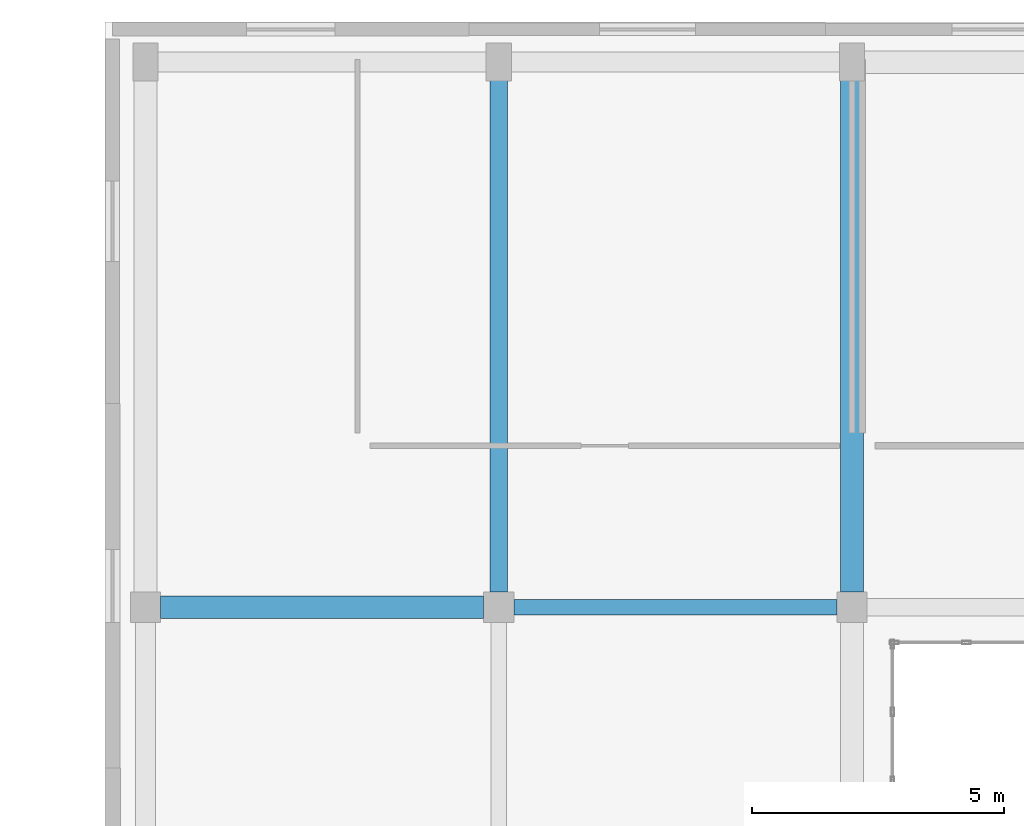
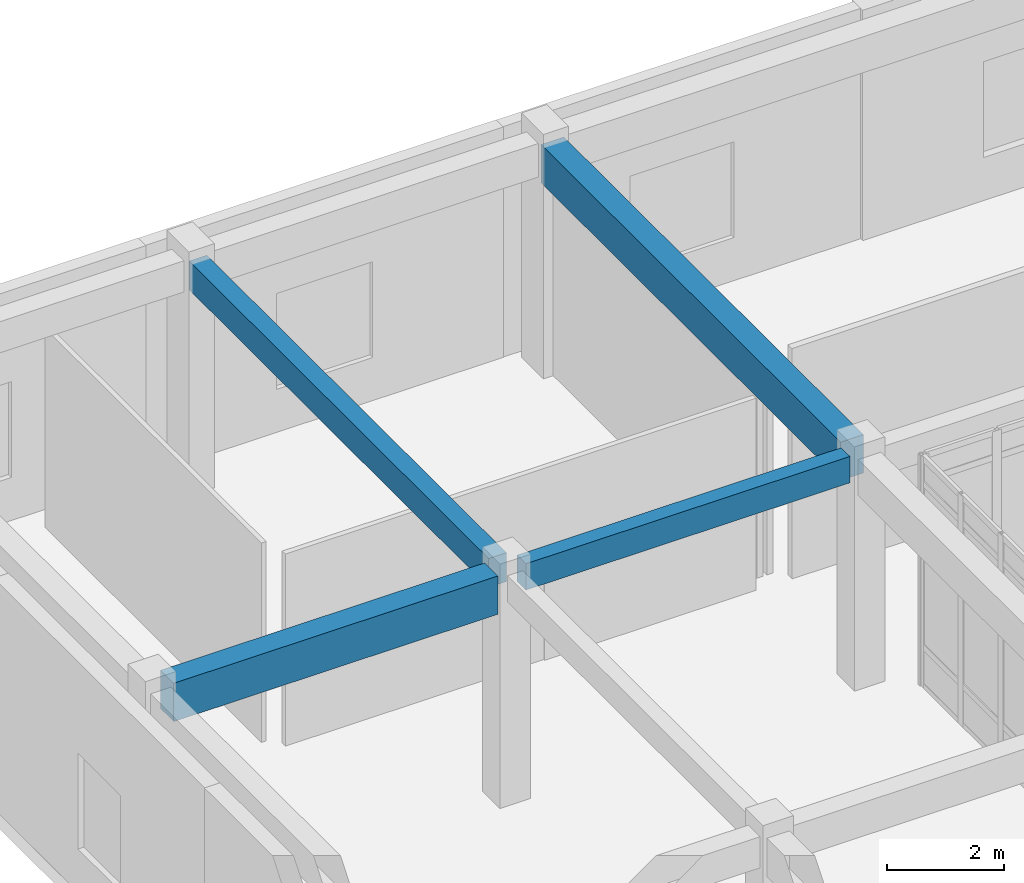
# One storey, part 66 of 121: 4 beams.
"""IFC4 building model written with IfcOpenShell, lengths in metres."""

from ifc_helpers import new_model, si_unit, direction, frame, origin, origin_2d, place, context, subcontext, project, spatial, rectangle, extrude, material, material_profile, profile_set, type_object, element, save


model = new_model("IFC4")

# Units and contexts
model_context = context("Model", 3, precision=1e-05, world=origin(), true_north=direction((0.0, 1.0)))
body_context = subcontext(model_context, "Body", "Model", "MODEL_VIEW")
ifc_project = project(units=[si_unit("LENGTHUNIT", "METRE"), si_unit("AREAUNIT", "SQUARE_METRE"), si_unit("VOLUMEUNIT", "CUBIC_METRE"), si_unit("PLANEANGLEUNIT", "RADIAN"), si_unit("MASSUNIT", "GRAM", prefix="KILO")], contexts=[model_context])

# Site, building, storey
site_placement = place(None, origin())
site = spatial("IfcSite", under=ifc_project, at=site_placement, CompositionType="ELEMENT")
building_placement = place(site_placement, origin())
building = spatial("IfcBuilding", under=site, at=building_placement, Name="Valcora Specialist Clinic", CompositionType="ELEMENT")
storey_placement = place(building_placement, origin())
storey = spatial("IfcBuildingStorey", under=building, at=storey_placement, Name="L00", CompositionType="ELEMENT", Elevation=0.0)

# Beams
ifc_material = material(Name="Concrete C40/50", Category="concrete")
ifc_material_profile_1 = material_profile(ifc_material, rectangle(XDim=0.300048828125, YDim=0.550048828125, at=origin_2d()), Name="RC-BM-300X550")
ifc_profile_set_1 = profile_set([ifc_material_profile_1], Name="Concrete C40/50")
beam_type_1 = type_object("IfcBeamType", Name="TY-BM-RC300X550", PredefinedType="BEAM", material=ifc_profile_set_1)
beam_1_placement = place(storey_placement, frame((69.300048828125, 99.199951171875, 4.534912109375), z_axis=(1.0, 0.0, 0.0), x_axis=(0.0, 1.0, 0.0)))
element("IfcBeam", 1, at=beam_1_placement, inside=storey, type_object=beam_type_1, Name="Beam BM-L00-0559", PredefinedType="BEAM", context=body_context, shape_type="SweptSolid", body=[
    extrude(rectangle(XDim=0.300048828125, YDim=0.550048828125, at=origin_2d()), origin(), (0.0, 0.0, 1.0), 6.39990234375),
])
ifc_material_profile_2 = material_profile(ifc_material, rectangle(XDim=0.35009765625, YDim=0.60009765625, at=origin_2d()), Name="RC-BM-350X600")
ifc_profile_set_2 = profile_set([ifc_material_profile_2], Name="Concrete C40/50")
beam_type_2 = type_object("IfcBeamType", Name="TY-BM-RC350X600", PredefinedType="BEAM", material=ifc_profile_set_2)
beam_2_placement = place(storey_placement, frame((69.0, 99.5, 4.510009765625), z_axis=(0.0, 1.0, 0.0), x_axis=(-1.0, 0.0, 0.0)))
element("IfcBeam", 2, at=beam_2_placement, inside=storey, type_object=beam_type_2, Name="Beam BM-L00-0582", PredefinedType="BEAM", context=body_context, shape_type="SweptSolid", body=[
    extrude(rectangle(XDim=0.35009765625, YDim=0.60009765625, at=origin_2d()), origin(), (0.0, 0.0, 1.0), 10.25),
])
ifc_material_profile_3 = material_profile(ifc_material, rectangle(XDim=0.449951171875, YDim=0.800048828125, at=origin_2d()), Name="RC-BM-450X800")
ifc_profile_set_3 = profile_set([ifc_material_profile_3], Name="Concrete C40/50")
beam_type_3 = type_object("IfcBeamType", Name="TY-BM-RC450X800", PredefinedType="BEAM", material=ifc_profile_set_3)
beam_3_placement = place(storey_placement, frame((62.300048828125, 99.199951171875, 4.409912109375), z_axis=(1.0, 0.0, 0.0), x_axis=(0.0, 1.0, 0.0)))
element("IfcBeam", 3, at=beam_3_placement, inside=storey, type_object=beam_type_3, Name="Beam BM-L00-0558", PredefinedType="BEAM", context=body_context, shape_type="SweptSolid", body=[
    extrude(rectangle(XDim=0.449951171875, YDim=0.800048828125, at=origin_2d()), origin(), (0.0, 0.0, 1.0), 6.39990234375),
])
beam_4_placement = place(storey_placement, frame((76.0, 99.5, 4.409912109375), z_axis=(0.0, 1.0, 0.0), x_axis=(-1.0, 0.0, 0.0)))
element("IfcBeam", 4, at=beam_4_placement, inside=storey, type_object=beam_type_3, Name="Beam BM-L00-0586", PredefinedType="BEAM", context=body_context, shape_type="SweptSolid", body=[
    extrude(rectangle(XDim=0.449951171875, YDim=0.800048828125, at=origin_2d()), origin(), (0.0, 0.0, 1.0), 10.25),
])

save(model, "model.ifc")
